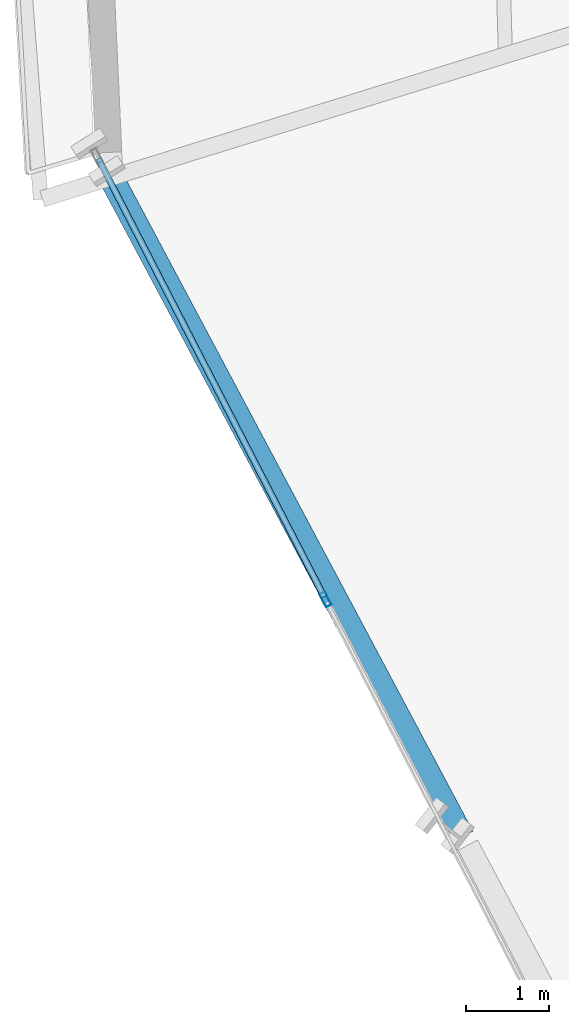
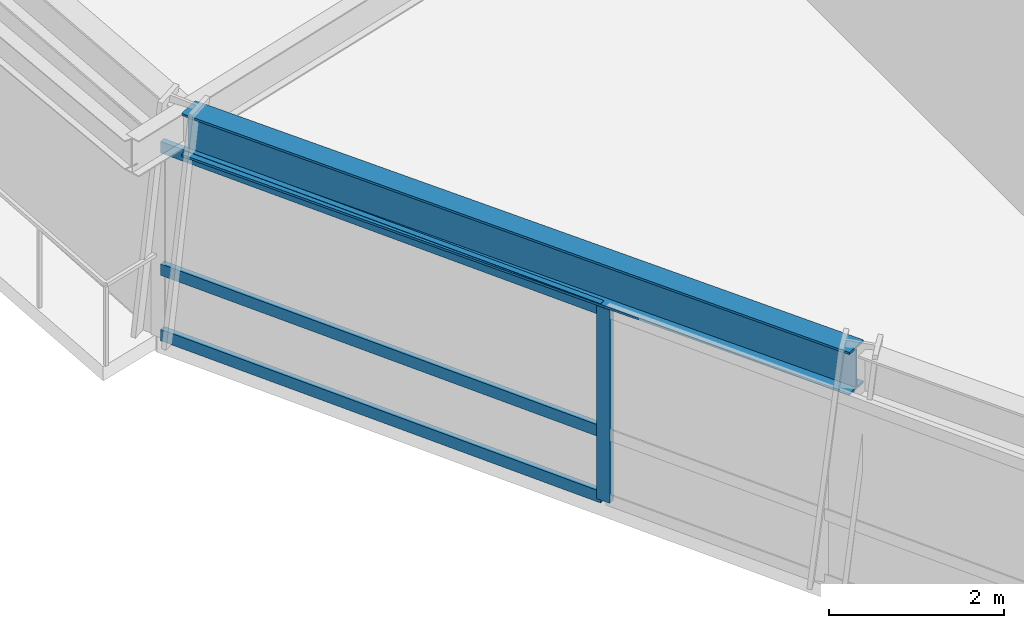
# One storey, part 3 of 19: 4 members, 1 beam, 1 element without a shape of its own.
"""IFC4 building model written with IfcOpenShell, lengths in metres."""

import ifcopenshell
import ifcopenshell.guid

model = None  # the IFC model being written
_history = None  # IfcOwnerHistory: only IFC2X3 demands one
_inside = {}  # id of a spatial element -> (the spatial element, [elements in it])
_under = {}  # id of a project, library or spatial element -> (it, [spatial elements below it])
_declared = {}  # id of a project -> (the project, [libraries it declares])
_typed = {}  # id of a type object -> (the type object, [elements of that type])
_made_of = {}  # id of a material, layer set ... -> (it, [elements and type objects made of it])


def new_model(schema):
    """Start an empty IFC model of exactly this schema.

    Asked for "IFC4X3", IfcOpenShell would pick the latest addendum, in which some entities
    have other attributes; the version numbers below select the first issue.
    IFC2X3 requires an IfcOwnerHistory on every rooted entity: one is made here for all.
    """
    global model, _history
    if schema == "IFC4X3":
        model = ifcopenshell.file(schema_version=(4, 3, 0, 0))
    else:
        model = ifcopenshell.file(schema=schema)
    _inside.clear()
    _under.clear()
    _declared.clear()
    _typed.clear()
    _made_of.clear()
    _history = None
    if model.schema == "IFC2X3":
        org = make("IfcOrganization", Name="unknown")
        user = make(
            "IfcPersonAndOrganization",
            ThePerson=make("IfcPerson", FamilyName="unknown"),
            TheOrganization=org,
        )
        app = make(
            "IfcApplication",
            ApplicationDeveloper=org,
            Version="unknown",
            ApplicationFullName="unknown",
            ApplicationIdentifier="unknown",
        )
        _history = make(
            "IfcOwnerHistory",
            OwningUser=user,
            OwningApplication=app,
            ChangeAction="ADDED",
            CreationDate=0,
        )
    return model


def make(cls, **values):
    """One entity of the class cls with the attributes given. An attribute that is None is left unset."""
    return model.create_entity(
        cls, **{name: value for name, value in values.items() if value is not None}
    )


def rooted(cls, **values):
    """An entity with a GlobalId (a new one), such as an element, a storey or a relation."""
    return make(cls, GlobalId=ifcopenshell.guid.new(), OwnerHistory=_history, **values)


def si_unit(unit_type, name, prefix=None):
    """IfcSIUnit, for example si_unit("LENGTHUNIT", "METRE", prefix="MILLI")."""
    return make("IfcSIUnit", UnitType=unit_type, Prefix=prefix, Name=name)


def assignment(units):
    """IfcUnitAssignment: the units of a project."""
    return None if units is None else make("IfcUnitAssignment", Units=units)


def point(xyz):
    """IfcCartesianPoint."""
    return None if xyz is None else make("IfcCartesianPoint", Coordinates=xyz)


def direction(xyz):
    """IfcDirection."""
    return None if xyz is None else make("IfcDirection", DirectionRatios=xyz)


def frame(location, z_axis=None, x_axis=None):
    """IfcAxis2Placement3D, a coordinate frame: its origin and axes. An axis left out is left unset."""
    return make(
        "IfcAxis2Placement3D",
        Location=point(location),
        Axis=direction(z_axis),
        RefDirection=direction(x_axis),
    )


def frame_2d(location, x_axis=None):
    """IfcAxis2Placement2D, a coordinate frame in the plane: its origin and x axis."""
    return make(
        "IfcAxis2Placement2D", Location=point(location), RefDirection=direction(x_axis)
    )


def origin():
    """The frame at (0, 0, 0) with its axes left unset."""
    return frame((0.0, 0.0, 0.0))


def origin_2d():
    """The frame at (0, 0) in the plane with its x axis left unset."""
    return frame_2d((0.0, 0.0))


def place(relative_to, where):
    """IfcLocalPlacement: puts the frame where relative to a parent placement (None: the world)."""
    return make(
        "IfcLocalPlacement", PlacementRelTo=relative_to, RelativePlacement=where
    )


def context(
    kind, dimensions, precision=None, world=None, true_north=None, identifier=None
):
    """IfcGeometricRepresentationContext, for example the 3D "Model" context."""
    return make(
        "IfcGeometricRepresentationContext",
        ContextIdentifier=identifier,
        ContextType=kind,
        CoordinateSpaceDimension=dimensions,
        Precision=precision,
        WorldCoordinateSystem=world,
        TrueNorth=true_north,
    )


def subcontext(parent, identifier, kind, view, scale=None):
    """IfcGeometricRepresentationSubContext, for example "Body" below "Model"."""
    return make(
        "IfcGeometricRepresentationSubContext",
        ContextIdentifier=identifier,
        ContextType=kind,
        ParentContext=parent,
        TargetScale=scale,
        TargetView=view,
    )


def project(units=None, contexts=None):
    """IfcProject with its units and contexts."""
    return rooted(
        "IfcProject",
        Name="project",
        RepresentationContexts=contexts,
        UnitsInContext=assignment(units),
    )


def spatial(cls, under=None, at=None, **own):
    """A site, building, storey or space (cls), placed at a placement, below another one or the project."""
    s = rooted(cls, ObjectPlacement=at, **own)
    if under is not None:
        _under.setdefault(under.id(), (under, []))[1].append(s)
    return s


def profile(cls, at=None, kind="AREA", **sizes):
    """A parametric profile (cls). Its sizes go by their IFC names, for example OverallWidth=200.0."""
    return make(cls, ProfileType=kind, Position=at, **sizes)


def hollow_rectangle(**sizes):
    """IfcRectangleHollowProfileDef."""
    return profile("IfcRectangleHollowProfileDef", **sizes)


def i_section(**sizes):
    """IfcIShapeProfileDef."""
    return profile("IfcIShapeProfileDef", **sizes)


def extrude(swept, where, along, depth):
    """IfcExtrudedAreaSolid: the profile swept, set in the frame where, extruded along a direction by depth."""
    return make(
        "IfcExtrudedAreaSolid",
        SweptArea=swept,
        Position=where,
        ExtrudedDirection=direction(along),
        Depth=depth,
    )


def shape(context_of_items, identifier, shape_type, items):
    """IfcShapeRepresentation: the items that make up one representation, for example the "Body"."""
    return make(
        "IfcShapeRepresentation",
        ContextOfItems=context_of_items,
        RepresentationIdentifier=identifier,
        RepresentationType=shape_type,
        Items=items,
    )


def source(mapping_origin, context_of_items, identifier, shape_type, items):
    """IfcRepresentationMap: a shape defined once, which mapped items show again and again."""
    return make(
        "IfcRepresentationMap",
        MappingOrigin=mapping_origin,
        MappedRepresentation=shape(context_of_items, identifier, shape_type, items),
    )


def transform(
    local_origin,
    x_axis=None,
    y_axis=None,
    z_axis=None,
    scale=None,
    scale2=None,
    scale3=None,
    uniform=True,
):
    """IfcCartesianTransformationOperator3D, or its non-uniform kind. x_axis, y_axis, z_axis: its Axis1, 2, 3."""
    if uniform:
        return make(
            "IfcCartesianTransformationOperator3D",
            Axis1=direction(x_axis),
            Axis2=direction(y_axis),
            LocalOrigin=point(local_origin),
            Scale=scale,
            Axis3=direction(z_axis),
        )
    return make(
        "IfcCartesianTransformationOperator3DnonUniform",
        Axis1=direction(x_axis),
        Axis2=direction(y_axis),
        LocalOrigin=point(local_origin),
        Scale=scale,
        Axis3=direction(z_axis),
        Scale2=scale2,
        Scale3=scale3,
    )


def mapped(mapping_source, mapping_target):
    """IfcMappedItem: shows the shape of a source again, moved by a transform."""
    return make(
        "IfcMappedItem", MappingSource=mapping_source, MappingTarget=mapping_target
    )


def material(Name=None, Category=None):
    """IfcMaterial."""
    return make("IfcMaterial", Name=Name, Category=Category)


def material_profile(
    of_material, cross_section, Name=None, Category=None, Priority=None
):
    """IfcMaterialProfile: a cross section and its material."""
    return make(
        "IfcMaterialProfile",
        Name=Name,
        Material=of_material,
        Profile=cross_section,
        Priority=Priority,
        Category=Category,
    )


def profile_set(profiles, Name=None, composite=None):
    """IfcMaterialProfileSet."""
    return make(
        "IfcMaterialProfileSet",
        Name=Name,
        MaterialProfiles=profiles,
        CompositeProfile=composite,
    )


def made_of(thing, what):
    """Note that an element or type object is made of a material, layer set ...; save() writes the relation."""
    if what is not None:
        _made_of.setdefault(what.id(), (what, []))[1].append(thing)
    return thing


def type_object(cls, material=None, **own):
    """A type object (cls), such as IfcWallType, which elements share."""
    return made_of(rooted(cls, **own), material)


def element(
    cls,
    number,
    at=None,
    inside=None,
    cuts=None,
    type_object=None,
    material=None,
    context=None,
    identifier="Body",
    shape_type=None,
    held_by="IfcProductDefinitionShape",
    body=None,
    shapes=None,
    **own,
):
    """One element of the class cls, such as IfcWall. Its Tag is "e" and its number.

    at: its placement. inside: the storey or other place that contains it. cuts: it is an
    opening in that element (IfcRelVoidsElement). A single representation is given by context,
    identifier, shape_type and body (its items); several are given by shapes. held_by: the class
    of the entity that holds the representations. save() writes the other relations.
    """
    e = rooted(cls, Tag="e%d" % number, ObjectPlacement=at, **own)
    if body is not None:
        shapes = [shape(context, identifier, shape_type, body)]
    if shapes is not None:
        e.Representation = make(held_by, Representations=shapes)
    if inside is not None:
        _inside.setdefault(inside.id(), (inside, []))[1].append(e)
    if cuts is not None:
        rooted(
            "IfcRelVoidsElement", RelatingBuildingElement=cuts, RelatedOpeningElement=e
        )
    if type_object is not None:
        _typed.setdefault(type_object.id(), (type_object, []))[1].append(e)
    return made_of(e, material)


def aggregate(whole, parts):
    """IfcRelAggregates: a whole, such as a stair, and the parts it consists of."""
    return rooted("IfcRelAggregates", RelatingObject=whole, RelatedObjects=parts)


def save(model, path):
    """Write the relations noted so far, then the file.

    IfcRelAggregates (storeys below a building ...), IfcRelContainedInSpatialStructure (elements
    in a storey), IfcRelDefinesByType, IfcRelAssociatesMaterial and IfcRelDeclares: one each for
    every whole, place, type object, material and project.
    """
    for whole, parts in _under.values():
        aggregate(whole, parts)
    for where, things in _inside.values():
        rooted(
            "IfcRelContainedInSpatialStructure",
            RelatedElements=things,
            RelatingStructure=where,
        )
    for kind, things in _typed.values():
        rooted("IfcRelDefinesByType", RelatedObjects=things, RelatingType=kind)
    for what, things in _made_of.values():
        rooted("IfcRelAssociatesMaterial", RelatedObjects=things, RelatingMaterial=what)
    for by, libraries in _declared.values():
        rooted("IfcRelDeclares", RelatingContext=by, RelatedDefinitions=libraries)
    model.write(path)


model = new_model("IFC4")

# Units and contexts
model_context = context("Model", 3, precision=1e-05, world=origin(), true_north=direction((0.0, 1.0)))
body_context = subcontext(model_context, "Body", "Model", "MODEL_VIEW")
ifc_project = project(units=[si_unit("LENGTHUNIT", "METRE"), si_unit("AREAUNIT", "SQUARE_METRE"), si_unit("VOLUMEUNIT", "CUBIC_METRE"), si_unit("PLANEANGLEUNIT", "RADIAN"), si_unit("MASSUNIT", "GRAM", prefix="KILO")], contexts=[model_context])

# Site, building, storey
site_placement = place(None, origin())
site = spatial("IfcSite", under=ifc_project, at=site_placement, CompositionType="ELEMENT")
building_placement = place(site_placement, origin())
building = spatial("IfcBuilding", under=site, at=building_placement, Name="Olszyna Solenne Hotel", CompositionType="ELEMENT")
storey_placement = place(building_placement, frame((0.0, 0.0, 102.14990234375)))
storey = spatial("IfcBuildingStorey", under=building, at=storey_placement, Name="L26", CompositionType="ELEMENT", Elevation=102.14990234375)

# Beam
ifc_material_1 = material(Name="Steel S355J2", Category="steel")
ifc_material_profile_1 = material_profile(ifc_material_1, i_section(OverallWidth=0.300048828125, OverallDepth=0.60009765625, WebThickness=0.015380859375, FlangeThickness=0.030029296875, at=origin_2d()), Name="HEB 600", Category="load-bearing")
ifc_profile_set_1 = profile_set([ifc_material_profile_1], Name="Steel S355J2")
beam_type = type_object("IfcBeamType", Name="BM-S2", PredefinedType="BEAM", material=ifc_profile_set_1)
shared_shape_1 = source(origin(), body_context, "Body", "SweptSolid", [
    extrude(i_section(OverallWidth=0.300048828125, OverallDepth=0.60009765625, WebThickness=0.015380859375, FlangeThickness=0.030029296875, at=origin_2d()), origin(), (0.0, 0.0, 1.0), 8.9912109375),
])
beam_placement = place(storey_placement, frame((17.8173828125, 20.28369140625, 3.0), z_axis=(0.469780483773, -0.882783267323, 0.0), x_axis=(0.882783267323, 0.469780483773, 0.0)))
element("IfcBeam", 1, at=beam_placement, inside=storey, type_object=beam_type, Name="Perimeter spandrel beam BM-S2 B-L26-0786", PredefinedType="BEAM", context=body_context, shape_type="MappedRepresentation", body=[
    mapped(shared_shape_1, transform((0.0, 0.0, 0.0), x_axis=(1.0, 0.0, 0.0), y_axis=(0.0, 1.0, 0.0), z_axis=(0.0, 0.0, 1.0), scale=1.0)),
])

# Curtain wall, members
ifc_material_2 = material(Name="Anodised bronze aluminium", Category="aluminium")
curtain_wall_type = type_object("IfcCurtainWallType", Name="CW-SYS-3", PredefinedType="NOTDEFINED", material=ifc_material_2)
curtain_wall_placement = place(storey_placement, origin())
curtain_wall = element("IfcCurtainWall", 2, at=curtain_wall_placement, inside=storey, type_object=curtain_wall_type, Name="Unitised curtain wall CW-SYS-3 CW-L26-01", PredefinedType="NOTDEFINED")
ifc_material_profile_2 = material_profile(ifc_material_2, hollow_rectangle(XDim=0.074951171875, YDim=0.179931640625, WallThickness=0.00439453125, at=origin_2d()), Name="MULL 180x75x4.5", Category="load-bearing")
ifc_profile_set_2 = profile_set([ifc_material_profile_2], Name="Anodised bronze aluminium")
member_type_1 = type_object("IfcMemberType", Name="CW-M2", PredefinedType="MULLION", material=ifc_profile_set_2)
shared_shape_2 = source(origin(), body_context, "Body", "SweptSolid", [
    extrude(hollow_rectangle(XDim=0.074951171875, YDim=0.179931640625, WallThickness=0.00439453125, at=origin_2d()), origin(), (0.0, 0.0, 1.0), 2.692138671875),
])
member_1_placement = place(storey_placement, frame((20.388427734375, 15.22412109375, 0.0), z_axis=(0.0, 0.0, 1.0), x_axis=(0.888864979698, 0.458169234963, 0.0)))
member_1 = element("IfcMember", 3, at=member_1_placement, type_object=member_type_1, Name="Curtain-wall mullion CW-M2 CM-L26-01-02", PredefinedType="MULLION", context=body_context, shape_type="MappedRepresentation", body=[
    mapped(shared_shape_2, transform((0.0, 0.0, 0.0), x_axis=(1.0, 0.0, 0.0), y_axis=(0.0, 1.0, 0.0), z_axis=(0.0, 0.0, 1.0), scale=1.0)),
])
ifc_material_profile_3 = material_profile(ifc_material_2, hollow_rectangle(XDim=0.074951171875, YDim=0.159912109375, WallThickness=0.00390625, at=origin_2d()), Name="TRAN 160x75x4", Category="load-bearing")
ifc_profile_set_3 = profile_set([ifc_material_profile_3], Name="Anodised bronze aluminium")
member_type_2 = type_object("IfcMemberType", Name="CW-T1", PredefinedType="USERDEFINED", material=ifc_profile_set_3)
shared_shape_3 = source(origin(), body_context, "Body", "SweptSolid", [
    extrude(hollow_rectangle(XDim=0.074951171875, YDim=0.159912109375, WallThickness=0.00390625, at=origin_2d()), origin(), (0.0, 0.0, 1.0), 5.96875),
])
member_2_placement = place(storey_placement, frame((17.63671875, 20.562744140625, 0.03759765625), z_axis=(0.458158363753, -0.888870583225, 0.0), x_axis=(0.888870583225, 0.458158363753, 0.0)))
member_2 = element("IfcMember", 4, at=member_2_placement, type_object=member_type_2, Name="Curtain-wall transom CW-T1 CT-L26-01-01", ObjectType="TRANSOM", PredefinedType="USERDEFINED", context=body_context, shape_type="MappedRepresentation", body=[
    mapped(shared_shape_3, transform((0.0, 0.0, 0.0), x_axis=(1.0, 0.0, 0.0), y_axis=(0.0, 1.0, 0.0), z_axis=(0.0, 0.0, 1.0), scale=1.0)),
])
member_3_placement = place(storey_placement, frame((17.63671875, 20.562744140625, 0.9501953125), z_axis=(0.458158363753, -0.888870583225, 0.0), x_axis=(0.888870583225, 0.458158363753, 0.0)))
member_3 = element("IfcMember", 5, at=member_3_placement, type_object=member_type_2, Name="Curtain-wall transom CW-T1 CT-L26-01-02", ObjectType="TRANSOM", PredefinedType="USERDEFINED", context=body_context, shape_type="MappedRepresentation", body=[
    mapped(shared_shape_3, transform((0.0, 0.0, 0.0), x_axis=(1.0, 0.0, 0.0), y_axis=(0.0, 1.0, 0.0), z_axis=(0.0, 0.0, 1.0), scale=1.0)),
])
member_4_placement = place(storey_placement, frame((17.63671875, 20.562744140625, 2.654541015625), z_axis=(0.458158363753, -0.888870583225, 0.0), x_axis=(0.888870583225, 0.458158363753, 0.0)))
member_4 = element("IfcMember", 6, at=member_4_placement, type_object=member_type_2, Name="Curtain-wall transom CW-T1 CT-L26-01-03", ObjectType="TRANSOM", PredefinedType="USERDEFINED", context=body_context, shape_type="MappedRepresentation", body=[
    mapped(shared_shape_3, transform((0.0, 0.0, 0.0), x_axis=(1.0, 0.0, 0.0), y_axis=(0.0, 1.0, 0.0), z_axis=(0.0, 0.0, 1.0), scale=1.0)),
])
aggregate(curtain_wall, [member_1, member_2, member_3, member_4])

save(model, "model.ifc")
